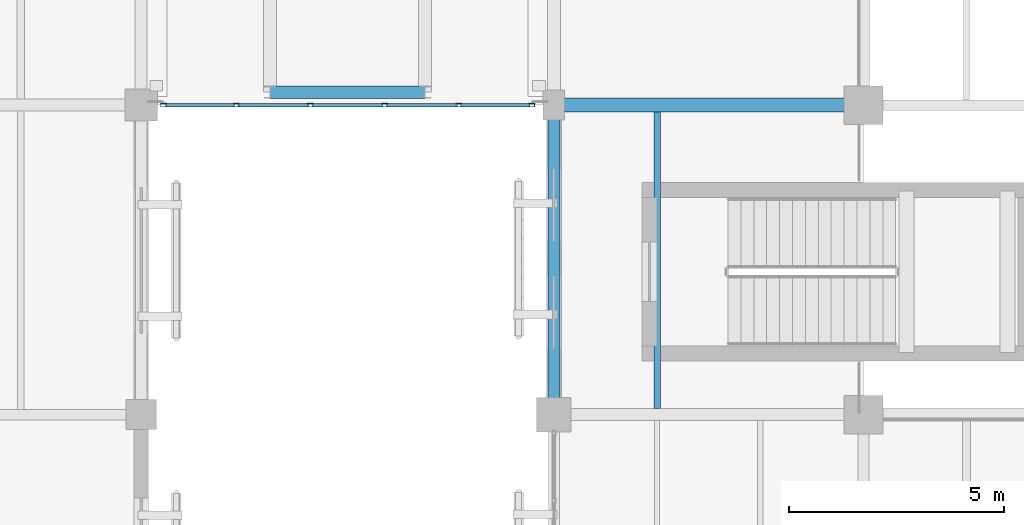
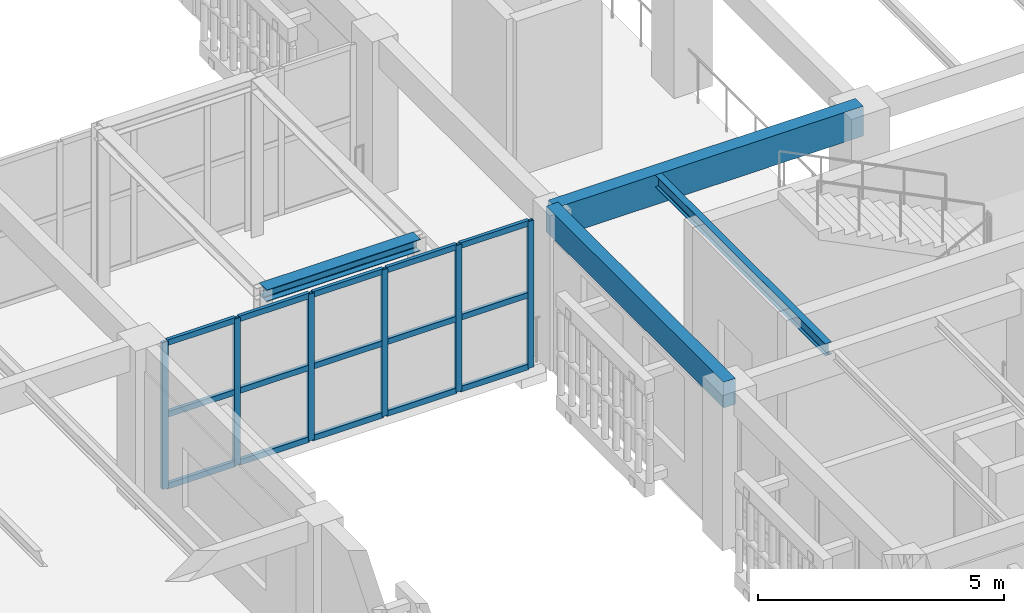
# One storey, part 49 of 170: 21 members, 4 beams, 1 element without a shape of its own.
"""IFC4 building model written with IfcOpenShell, lengths in metres."""

from ifc_helpers import new_model, si_unit, direction, frame, origin, origin_2d, place, context, subcontext, project, spatial, rectangle, hollow_rectangle, i_section, extrude, material, layer, layer_set, material_profile, profile_set, type_object, element, aggregate, save


model = new_model("IFC4")

# Units and contexts
model_context = context("Model", 3, precision=1e-05, world=origin(), true_north=direction((0.0, 1.0)))
body_context = subcontext(model_context, "Body", "Model", "MODEL_VIEW")
ifc_project = project(units=[si_unit("LENGTHUNIT", "METRE"), si_unit("AREAUNIT", "SQUARE_METRE"), si_unit("VOLUMEUNIT", "CUBIC_METRE"), si_unit("PLANEANGLEUNIT", "RADIAN"), si_unit("MASSUNIT", "GRAM", prefix="KILO")], contexts=[model_context])

# Site, building, storey
site_placement = place(None, origin())
site = spatial("IfcSite", under=ifc_project, at=site_placement, CompositionType="ELEMENT")
building_placement = place(site_placement, origin())
building = spatial("IfcBuilding", under=site, at=building_placement, Name="Mazaris Harbour Polytechnic", CompositionType="ELEMENT")
storey_placement = place(building_placement, frame((0.0, 0.0, 5.39990234375)))
storey = spatial("IfcBuildingStorey", under=building, at=storey_placement, Name="L01", CompositionType="ELEMENT", Elevation=5.39990234375)

# Curtain wall, members
ifc_material_1 = material(Name="Anodised Bronze Aluminium and Low-E Glass", Category="aluminium")
ifc_layer = layer(ifc_material_1, 0.139892578125, Name="Anodised Bronze Aluminium and Low-E Glass")
ifc_layer_set = layer_set([ifc_layer], Name="Anodised Bronze Aluminium and Low-E Glass")
curtain_wall_type = type_object("IfcCurtainWallType", Name="Seismic Link Bridge Glazing", PredefinedType="NOTDEFINED", material=ifc_layer_set)
curtain_wall_placement = place(storey_placement, origin())
curtain_wall = element("IfcCurtainWall", 1, at=curtain_wall_placement, inside=storey, type_object=curtain_wall_type, Name="PB-E1 L01 Bridge Glazing", PredefinedType="NOTDEFINED")
ifc_material_2 = material(Name="Anodised Bronze Steel S355", Category="steel")
ifc_material_profile_1 = material_profile(ifc_material_2, hollow_rectangle(XDim=0.080078125, YDim=0.139892578125, WallThickness=0.00634765625, at=origin_2d()), Name="RHS 80x140x6.3")
ifc_profile_set_1 = profile_set([ifc_material_profile_1], Name="Anodised Bronze Steel S355")
member_type_1 = type_object("IfcMemberType", Name="Curtain Mullion RHS80x140", PredefinedType="MULLION", material=ifc_profile_set_1)
member_1_placement = place(storey_placement, frame((113.320068359375, 21.60009765625, 0.0), z_axis=(0.0, 0.0, 1.0), x_axis=(0.0, 1.0, 0.0)))
member_1 = element("IfcMember", 2, at=member_1_placement, type_object=member_type_1, Name="CW-05 mullion 1", PredefinedType="MULLION", context=body_context, shape_type="SweptSolid", body=[
    extrude(hollow_rectangle(XDim=0.080078125, YDim=0.139892578125, WallThickness=0.00634765625, at=origin_2d()), origin(), (0.0, 0.0, 1.0), 3.635009765625),
])
member_2_placement = place(storey_placement, frame((115.008056640625, 21.60009765625, 0.0), z_axis=(0.0, 0.0, 1.0), x_axis=(0.0, 1.0, 0.0)))
member_2 = element("IfcMember", 3, at=member_2_placement, type_object=member_type_1, Name="CW-05 mullion 2", PredefinedType="MULLION", context=body_context, shape_type="SweptSolid", body=[
    extrude(hollow_rectangle(XDim=0.080078125, YDim=0.139892578125, WallThickness=0.00634765625, at=origin_2d()), origin(), (0.0, 0.0, 1.0), 3.635009765625),
])
member_3_placement = place(storey_placement, frame((116.736083984375, 21.60009765625, 0.0), z_axis=(0.0, 0.0, 1.0), x_axis=(0.0, 1.0, 0.0)))
member_3 = element("IfcMember", 4, at=member_3_placement, type_object=member_type_1, Name="CW-05 mullion 3", PredefinedType="MULLION", context=body_context, shape_type="SweptSolid", body=[
    extrude(hollow_rectangle(XDim=0.080078125, YDim=0.139892578125, WallThickness=0.00634765625, at=origin_2d()), origin(), (0.0, 0.0, 1.0), 3.635009765625),
])
member_4_placement = place(storey_placement, frame((118.464111328125, 21.60009765625, 0.0), z_axis=(0.0, 0.0, 1.0), x_axis=(0.0, 1.0, 0.0)))
member_4 = element("IfcMember", 5, at=member_4_placement, type_object=member_type_1, Name="CW-05 mullion 4", PredefinedType="MULLION", context=body_context, shape_type="SweptSolid", body=[
    extrude(hollow_rectangle(XDim=0.080078125, YDim=0.139892578125, WallThickness=0.00634765625, at=origin_2d()), origin(), (0.0, 0.0, 1.0), 3.635009765625),
])
member_5_placement = place(storey_placement, frame((120.19189453125, 21.60009765625, 0.0), z_axis=(0.0, 0.0, 1.0), x_axis=(0.0, 1.0, 0.0)))
member_5 = element("IfcMember", 6, at=member_5_placement, type_object=member_type_1, Name="CW-05 mullion 5", PredefinedType="MULLION", context=body_context, shape_type="SweptSolid", body=[
    extrude(hollow_rectangle(XDim=0.080078125, YDim=0.139892578125, WallThickness=0.00634765625, at=origin_2d()), origin(), (0.0, 0.0, 1.0), 3.635009765625),
])
member_6_placement = place(storey_placement, frame((121.8798828125, 21.60009765625, 0.0), z_axis=(0.0, 0.0, 1.0), x_axis=(0.0, 1.0, 0.0)))
member_6 = element("IfcMember", 7, at=member_6_placement, type_object=member_type_1, Name="CW-05 mullion 6", PredefinedType="MULLION", context=body_context, shape_type="SweptSolid", body=[
    extrude(hollow_rectangle(XDim=0.080078125, YDim=0.139892578125, WallThickness=0.00634765625, at=origin_2d()), origin(), (0.0, 0.0, 1.0), 3.635009765625),
])
ifc_material_3 = material(Name="Anodised Bronze Steel S355", Category="steel")
ifc_material_profile_2 = material_profile(ifc_material_3, hollow_rectangle(XDim=0.080078125, YDim=0.139892578125, WallThickness=0.00634765625, at=origin_2d()), Name="RHS 80x140x6.3")
ifc_profile_set_2 = profile_set([ifc_material_profile_2], Name="Anodised Bronze Steel S355")
member_type_2 = type_object("IfcMemberType", Name="Curtain Transom RHS80x140", PredefinedType="USERDEFINED", material=ifc_profile_set_2)
member_7_placement = place(storey_placement, frame((113.360107421875, 21.60009765625, 0.0400390625), z_axis=(1.0, 0.0, 0.0), x_axis=(0.0, 1.0, 0.0)))
member_7 = element("IfcMember", 8, at=member_7_placement, type_object=member_type_2, Name="CW-05 transom 1.1", ObjectType="TRANSOM", PredefinedType="USERDEFINED", context=body_context, shape_type="SweptSolid", body=[
    extrude(hollow_rectangle(XDim=0.080078125, YDim=0.139892578125, WallThickness=0.00634765625, at=origin_2d()), origin(), (0.0, 0.0, 1.0), 1.60791015625),
])
member_8_placement = place(storey_placement, frame((113.360107421875, 21.60009765625, 1.817626953125), z_axis=(1.0, 0.0, 0.0), x_axis=(0.0, 1.0, 0.0)))
member_8 = element("IfcMember", 9, at=member_8_placement, type_object=member_type_2, Name="CW-05 transom 1.2", ObjectType="TRANSOM", PredefinedType="USERDEFINED", context=body_context, shape_type="SweptSolid", body=[
    extrude(hollow_rectangle(XDim=0.080078125, YDim=0.139892578125, WallThickness=0.00634765625, at=origin_2d()), origin(), (0.0, 0.0, 1.0), 1.60791015625),
])
member_9_placement = place(storey_placement, frame((113.360107421875, 21.60009765625, 3.59521484375), z_axis=(1.0, 0.0, 0.0), x_axis=(0.0, 1.0, 0.0)))
member_9 = element("IfcMember", 10, at=member_9_placement, type_object=member_type_2, Name="CW-05 transom 1.3", ObjectType="TRANSOM", PredefinedType="USERDEFINED", context=body_context, shape_type="SweptSolid", body=[
    extrude(hollow_rectangle(XDim=0.080078125, YDim=0.139892578125, WallThickness=0.00634765625, at=origin_2d()), origin(), (0.0, 0.0, 1.0), 1.60791015625),
])
member_10_placement = place(storey_placement, frame((115.048095703125, 21.60009765625, 0.0400390625), z_axis=(1.0, 0.0, 0.0), x_axis=(0.0, 1.0, 0.0)))
member_10 = element("IfcMember", 11, at=member_10_placement, type_object=member_type_2, Name="CW-05 transom 2.1", ObjectType="TRANSOM", PredefinedType="USERDEFINED", context=body_context, shape_type="SweptSolid", body=[
    extrude(hollow_rectangle(XDim=0.080078125, YDim=0.139892578125, WallThickness=0.00634765625, at=origin_2d()), origin(), (0.0, 0.0, 1.0), 1.64794921875),
])
member_11_placement = place(storey_placement, frame((115.048095703125, 21.60009765625, 1.817626953125), z_axis=(1.0, 0.0, 0.0), x_axis=(0.0, 1.0, 0.0)))
member_11 = element("IfcMember", 12, at=member_11_placement, type_object=member_type_2, Name="CW-05 transom 2.2", ObjectType="TRANSOM", PredefinedType="USERDEFINED", context=body_context, shape_type="SweptSolid", body=[
    extrude(hollow_rectangle(XDim=0.080078125, YDim=0.139892578125, WallThickness=0.00634765625, at=origin_2d()), origin(), (0.0, 0.0, 1.0), 1.64794921875),
])
member_12_placement = place(storey_placement, frame((115.048095703125, 21.60009765625, 3.59521484375), z_axis=(1.0, 0.0, 0.0), x_axis=(0.0, 1.0, 0.0)))
member_12 = element("IfcMember", 13, at=member_12_placement, type_object=member_type_2, Name="CW-05 transom 2.3", ObjectType="TRANSOM", PredefinedType="USERDEFINED", context=body_context, shape_type="SweptSolid", body=[
    extrude(hollow_rectangle(XDim=0.080078125, YDim=0.139892578125, WallThickness=0.00634765625, at=origin_2d()), origin(), (0.0, 0.0, 1.0), 1.64794921875),
])
member_13_placement = place(storey_placement, frame((116.77587890625, 21.60009765625, 0.0400390625), z_axis=(1.0, 0.0, 0.0), x_axis=(0.0, 1.0, 0.0)))
member_13 = element("IfcMember", 14, at=member_13_placement, type_object=member_type_2, Name="CW-05 transom 3.1", ObjectType="TRANSOM", PredefinedType="USERDEFINED", context=body_context, shape_type="SweptSolid", body=[
    extrude(hollow_rectangle(XDim=0.080078125, YDim=0.139892578125, WallThickness=0.00634765625, at=origin_2d()), origin(), (0.0, 0.0, 1.0), 1.648193359375),
])
member_14_placement = place(storey_placement, frame((116.77587890625, 21.60009765625, 1.817626953125), z_axis=(1.0, 0.0, 0.0), x_axis=(0.0, 1.0, 0.0)))
member_14 = element("IfcMember", 15, at=member_14_placement, type_object=member_type_2, Name="CW-05 transom 3.2", ObjectType="TRANSOM", PredefinedType="USERDEFINED", context=body_context, shape_type="SweptSolid", body=[
    extrude(hollow_rectangle(XDim=0.080078125, YDim=0.139892578125, WallThickness=0.00634765625, at=origin_2d()), origin(), (0.0, 0.0, 1.0), 1.648193359375),
])
member_15_placement = place(storey_placement, frame((116.77587890625, 21.60009765625, 3.59521484375), z_axis=(1.0, 0.0, 0.0), x_axis=(0.0, 1.0, 0.0)))
member_15 = element("IfcMember", 16, at=member_15_placement, type_object=member_type_2, Name="CW-05 transom 3.3", ObjectType="TRANSOM", PredefinedType="USERDEFINED", context=body_context, shape_type="SweptSolid", body=[
    extrude(hollow_rectangle(XDim=0.080078125, YDim=0.139892578125, WallThickness=0.00634765625, at=origin_2d()), origin(), (0.0, 0.0, 1.0), 1.648193359375),
])
member_16_placement = place(storey_placement, frame((118.50390625, 21.60009765625, 0.0400390625), z_axis=(1.0, 0.0, 0.0), x_axis=(0.0, 1.0, 0.0)))
member_16 = element("IfcMember", 17, at=member_16_placement, type_object=member_type_2, Name="CW-05 transom 4.1", ObjectType="TRANSOM", PredefinedType="USERDEFINED", context=body_context, shape_type="SweptSolid", body=[
    extrude(hollow_rectangle(XDim=0.080078125, YDim=0.139892578125, WallThickness=0.00634765625, at=origin_2d()), origin(), (0.0, 0.0, 1.0), 1.648193359375),
])
member_17_placement = place(storey_placement, frame((118.50390625, 21.60009765625, 1.817626953125), z_axis=(1.0, 0.0, 0.0), x_axis=(0.0, 1.0, 0.0)))
member_17 = element("IfcMember", 18, at=member_17_placement, type_object=member_type_2, Name="CW-05 transom 4.2", ObjectType="TRANSOM", PredefinedType="USERDEFINED", context=body_context, shape_type="SweptSolid", body=[
    extrude(hollow_rectangle(XDim=0.080078125, YDim=0.139892578125, WallThickness=0.00634765625, at=origin_2d()), origin(), (0.0, 0.0, 1.0), 1.648193359375),
])
member_18_placement = place(storey_placement, frame((118.50390625, 21.60009765625, 3.59521484375), z_axis=(1.0, 0.0, 0.0), x_axis=(0.0, 1.0, 0.0)))
member_18 = element("IfcMember", 19, at=member_18_placement, type_object=member_type_2, Name="CW-05 transom 4.3", ObjectType="TRANSOM", PredefinedType="USERDEFINED", context=body_context, shape_type="SweptSolid", body=[
    extrude(hollow_rectangle(XDim=0.080078125, YDim=0.139892578125, WallThickness=0.00634765625, at=origin_2d()), origin(), (0.0, 0.0, 1.0), 1.648193359375),
])
member_19_placement = place(storey_placement, frame((120.23193359375, 21.60009765625, 0.0400390625), z_axis=(1.0, 0.0, 0.0), x_axis=(0.0, 1.0, 0.0)))
member_19 = element("IfcMember", 20, at=member_19_placement, type_object=member_type_2, Name="CW-05 transom 5.1", ObjectType="TRANSOM", PredefinedType="USERDEFINED", context=body_context, shape_type="SweptSolid", body=[
    extrude(hollow_rectangle(XDim=0.080078125, YDim=0.139892578125, WallThickness=0.00634765625, at=origin_2d()), origin(), (0.0, 0.0, 1.0), 1.608154296875),
])
member_20_placement = place(storey_placement, frame((120.23193359375, 21.60009765625, 1.817626953125), z_axis=(1.0, 0.0, 0.0), x_axis=(0.0, 1.0, 0.0)))
member_20 = element("IfcMember", 21, at=member_20_placement, type_object=member_type_2, Name="CW-05 transom 5.2", ObjectType="TRANSOM", PredefinedType="USERDEFINED", context=body_context, shape_type="SweptSolid", body=[
    extrude(hollow_rectangle(XDim=0.080078125, YDim=0.139892578125, WallThickness=0.00634765625, at=origin_2d()), origin(), (0.0, 0.0, 1.0), 1.608154296875),
])
member_21_placement = place(storey_placement, frame((120.23193359375, 21.60009765625, 3.59521484375), z_axis=(1.0, 0.0, 0.0), x_axis=(0.0, 1.0, 0.0)))
member_21 = element("IfcMember", 22, at=member_21_placement, type_object=member_type_2, Name="CW-05 transom 5.3", ObjectType="TRANSOM", PredefinedType="USERDEFINED", context=body_context, shape_type="SweptSolid", body=[
    extrude(hollow_rectangle(XDim=0.080078125, YDim=0.139892578125, WallThickness=0.00634765625, at=origin_2d()), origin(), (0.0, 0.0, 1.0), 1.608154296875),
])
aggregate(curtain_wall, [member_1, member_2, member_3, member_4, member_5, member_6, member_7, member_8, member_9, member_10, member_11, member_12, member_13, member_14, member_15, member_16, member_17, member_18, member_19, member_20, member_21])

# Beams
ifc_material_4 = material(Name="Glulam GL32h", Category="wood")
ifc_material_profile_3 = material_profile(ifc_material_4, rectangle(XDim=0.280029296875, YDim=0.639892578125, at=origin_2d()), Name="RECT280x640")
ifc_profile_set_3 = profile_set([ifc_material_profile_3], Name="Glulam GL32h")
beam_type_1 = type_object("IfcBeamType", Name="Glulam Girder 280x640 Exterior", PredefinedType="BEAM", material=ifc_profile_set_3)
beam_1_placement = place(storey_placement, frame((122.39990234375, 14.39990234375, 3.530029296875), z_axis=(0.0, 1.0, 0.0), x_axis=(-1.0, 0.0, 0.0)))
element("IfcBeam", 23, at=beam_1_placement, inside=storey, type_object=beam_type_1, Name="V2 L01 Tie Girder 557", PredefinedType="BEAM", context=body_context, shape_type="SweptSolid", body=[
    extrude(rectangle(XDim=0.280029296875, YDim=0.639892578125, at=origin_2d()), origin(), (0.0, 0.0, 1.0), 7.2001953125),
])
ifc_material_5 = material(Name="Glulam GL32h", Category="wood")
ifc_material_profile_4 = material_profile(ifc_material_5, rectangle(XDim=0.320068359375, YDim=0.739990234375, at=origin_2d()), Name="RECT320x740")
ifc_profile_set_4 = profile_set([ifc_material_profile_4], Name="Glulam GL32h")
beam_type_2 = type_object("IfcBeamType", Name="Glulam Girder 320x740", PredefinedType="BEAM", material=ifc_profile_set_4)
beam_2_placement = place(storey_placement, frame((122.39990234375, 21.60009765625, 3.47998046875), z_axis=(1.0, 0.0, 0.0), x_axis=(0.0, 1.0, 0.0)))
element("IfcBeam", 24, at=beam_2_placement, inside=storey, type_object=beam_type_2, Name="V2 L01 Girder 529", PredefinedType="BEAM", context=body_context, shape_type="SweptSolid", body=[
    extrude(rectangle(XDim=0.320068359375, YDim=0.739990234375, at=origin_2d()), origin(), (0.0, 0.0, 1.0), 7.2001953125),
])
ifc_material_6 = material(Name="Steel S355", Category="steel")
ifc_material_profile_5 = material_profile(ifc_material_6, i_section(OverallWidth=0.300048828125, OverallDepth=0.2900390625, WebThickness=0.008544921875, FlangeThickness=0.013916015625, FilletRadius=0.027099609375, at=origin_2d()), Name="HEA 300")
ifc_profile_set_5 = profile_set([ifc_material_profile_5], Name="Steel S355")
beam_type_3 = type_object("IfcBeamType", Name="Steel Beam HEA300 Exterior", PredefinedType="SPANDREL", material=ifc_profile_set_5)
beam_3_placement = place(storey_placement, frame((115.800048828125, 21.89990234375, 3.7900390625), z_axis=(1.0, 0.0, 0.0), x_axis=(0.0, 1.0, 0.0)))
element("IfcBeam", 25, at=beam_3_placement, inside=storey, type_object=beam_type_3, Name="PB-E1 L01 Bridge Beam 3443", PredefinedType="SPANDREL", context=body_context, shape_type="SweptSolid", body=[
    extrude(i_section(OverallWidth=0.300048828125, OverallDepth=0.2900390625, WebThickness=0.008544921875, FlangeThickness=0.013916015625, FilletRadius=0.027099609375, at=origin_2d()), origin(), (0.0, 0.0, 1.0), 3.599853515625),
])
ifc_material_7 = material(Name="Steel S355", Category="steel")
ifc_material_profile_6 = material_profile(ifc_material_7, i_section(OverallWidth=0.14990234375, OverallDepth=0.300048828125, WebThickness=0.007080078125, FlangeThickness=0.0107421875, FilletRadius=0.014892578125, at=origin_2d()), Name="IPE 300")
ifc_profile_set_6 = profile_set([ifc_material_profile_6], Name="Steel S355")
beam_type_4 = type_object("IfcBeamType", Name="Steel Joist IPE300", PredefinedType="JOIST", material=ifc_profile_set_6)
beam_4_placement = place(storey_placement, frame((124.800048828125, 14.5400390625, 3.7001953125), z_axis=(0.0, 1.0, 0.0), x_axis=(-1.0, 0.0, 0.0)))
element("IfcBeam", 26, at=beam_4_placement, inside=storey, type_object=beam_type_4, Name="V2 L01 Floor Joist 584", PredefinedType="JOIST", context=body_context, shape_type="SweptSolid", body=[
    extrude(i_section(OverallWidth=0.14990234375, OverallDepth=0.300048828125, WebThickness=0.007080078125, FlangeThickness=0.0107421875, FilletRadius=0.014892578125, at=origin_2d()), origin(), (0.0, 0.0, 1.0), 6.89990234375),
])

save(model, "model.ifc")
